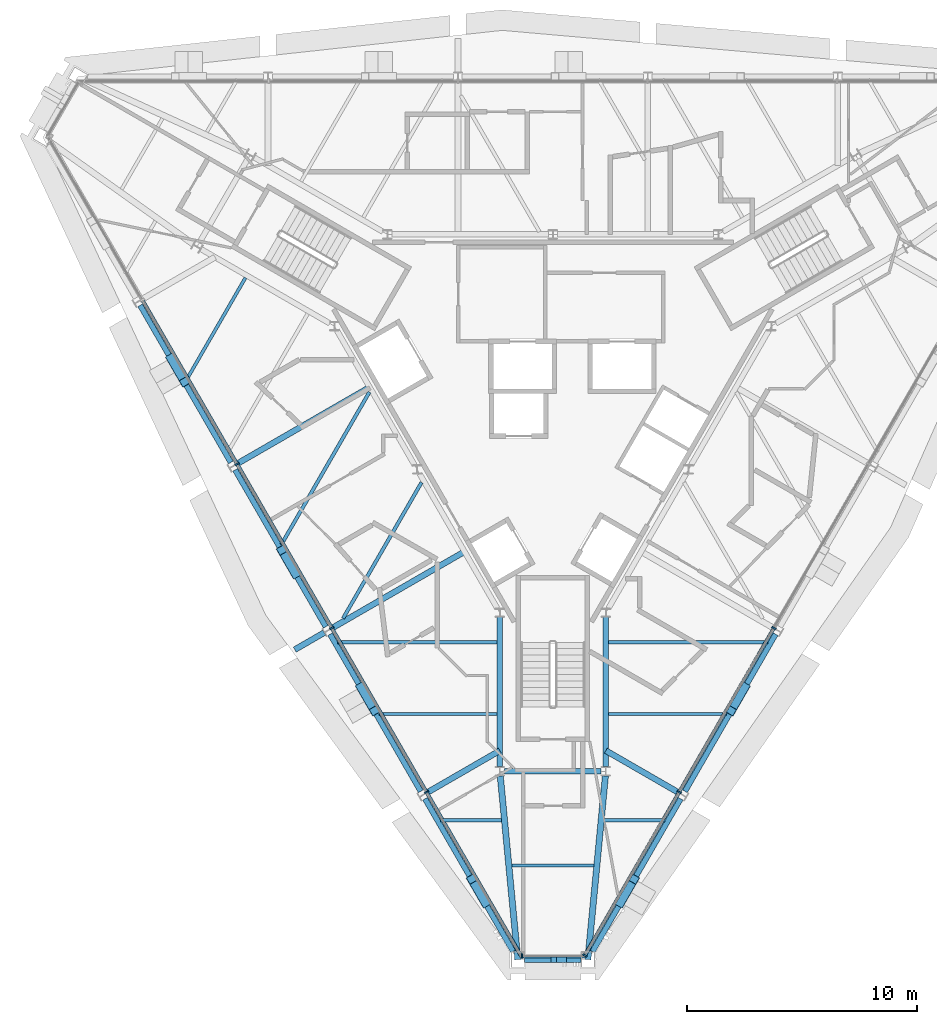
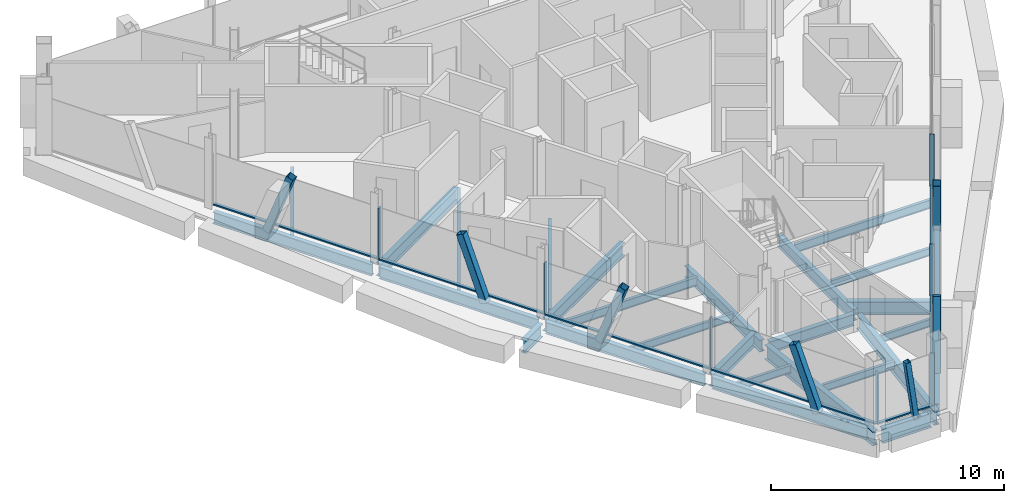
# One storey, part 3 of 14: 27 beams, 21 members, 3 elements without a shape of their own.
"""IFC4 building model written with IfcOpenShell, lengths in metres."""

from ifc_helpers import new_model, si_unit, direction, frame, origin, origin_2d, place, context, subcontext, project, spatial, rectangle, hollow_rectangle, i_section, extrude, material, material_profile, profile_set, type_object, element, aggregate, save


model = new_model("IFC4")

# Units and contexts
model_context = context("Model", 3, precision=1e-05, world=origin(), true_north=direction((0.0, 1.0)))
body_context = subcontext(model_context, "Body", "Model", "MODEL_VIEW")
ifc_project = project(units=[si_unit("LENGTHUNIT", "METRE"), si_unit("AREAUNIT", "SQUARE_METRE"), si_unit("VOLUMEUNIT", "CUBIC_METRE"), si_unit("PLANEANGLEUNIT", "RADIAN"), si_unit("MASSUNIT", "GRAM", prefix="KILO")], contexts=[model_context])

# Site, building, storey
site_placement = place(None, origin())
site = spatial("IfcSite", under=ifc_project, at=site_placement, CompositionType="ELEMENT")
building_placement = place(site_placement, origin())
building = spatial("IfcBuilding", under=site, at=building_placement, Name="Verrane Prism Tower", CompositionType="ELEMENT")
storey_placement = place(building_placement, frame((0.0, 0.0, 293.60009765625)))
storey = spatial("IfcBuildingStorey", under=building, at=storey_placement, Name="L74", CompositionType="ELEMENT", Elevation=293.60009765625)

# Member
ifc_material_1 = material(Name="Steel A500 Grade C", Category="steel")
ifc_material_profile_1 = material_profile(ifc_material_1, hollow_rectangle(XDim=0.25390625, YDim=0.25390625, WallThickness=0.009521484375, InnerFilletRadius=0.0048828125, OuterFilletRadius=0.014404296875, at=origin_2d()), Name="HSS10x10x3/8")
ifc_profile_set_1 = profile_set([ifc_material_profile_1], Name="Steel A500 Grade C")
member_type_1 = type_object("IfcMemberType", Name="Chamfer brace HSS10x10x3/8", PredefinedType="BRACE", material=ifc_profile_set_1)
member_1_placement = place(storey_placement, frame((0.466064453125, -24.669921875, -0.24267578125), z_axis=(-0.13564452477, 0.0, 0.990757570196), x_axis=(0.0, -1.0, 0.0)))
element("IfcMember", 1, at=member_1_placement, inside=storey, type_object=member_type_1, Name="Chamfer brace S0 L74", PredefinedType="BRACE", context=body_context, shape_type="SweptSolid", body=[
    extrude(hollow_rectangle(XDim=0.25390625, YDim=0.25390625, WallThickness=0.009521484375, InnerFilletRadius=0.0048828125, OuterFilletRadius=0.014404296875, at=origin_2d()), origin(), (0.0, 0.0, 1.0), 3.13720703125),
])

# Beams
ifc_material_2 = material(Name="Steel A992", Category="steel")
ifc_material_profile_2 = material_profile(ifc_material_2, i_section(OverallWidth=0.2666015625, OverallDepth=0.7568359375, WebThickness=0.013916015625, FlangeThickness=0.019287109375, FilletRadius=0.0166015625, at=origin_2d()), Name="W30x108")
ifc_profile_set_2 = profile_set([ifc_material_profile_2], Name="Steel A992")
beam_type_1 = type_object("IfcBeamType", Name="Chamfer spandrel beam W30x108", PredefinedType="SPANDREL", material=ifc_profile_set_2)
beam_1_placement = place(storey_placement, frame((-1.219970703125, -24.669921875, -0.53857421875), z_axis=(1.0, 0.0, 0.0), x_axis=(0.0, 1.0, 0.0)))
element("IfcBeam", 2, at=beam_1_placement, inside=storey, type_object=beam_type_1, Name="Chamfer spandrel beam L74", PredefinedType="SPANDREL", context=body_context, shape_type="SweptSolid", body=[
    extrude(i_section(OverallWidth=0.2666015625, OverallDepth=0.7568359375, WebThickness=0.013916015625, FlangeThickness=0.019287109375, FilletRadius=0.0166015625, at=origin_2d()), origin(), (0.0, 0.0, 1.0), 2.43994140625),
])
ifc_material_3 = material(Name="Steel A992", Category="steel")
ifc_material_profile_3 = material_profile(ifc_material_3, i_section(OverallWidth=0.23046875, OverallDepth=0.6171875, WebThickness=0.01318359375, FlangeThickness=0.022216796875, FilletRadius=0.012939453125, at=origin_2d()), Name="W24x94")
ifc_profile_set_3 = profile_set([ifc_material_profile_3], Name="Steel A992")
beam_type_2 = type_object("IfcBeamType", Name="Core ring girder W24x94", PredefinedType="BEAM", material=ifc_profile_set_3)
beam_2_placement = place(storey_placement, frame((-2.300048828125, -9.81298828125, -0.55859375), z_axis=(0.0, -1.0, 0.0), x_axis=(1.0, 0.0, 0.0)))
element("IfcBeam", 3, at=beam_2_placement, inside=storey, type_object=beam_type_2, Name="Core ring girder L74", PredefinedType="BEAM", context=body_context, shape_type="SweptSolid", body=[
    extrude(i_section(OverallWidth=0.23046875, OverallDepth=0.6171875, WebThickness=0.01318359375, FlangeThickness=0.022216796875, FilletRadius=0.012939453125, at=origin_2d()), origin(), (0.0, 0.0, 1.0), 6.487548828125),
])
beam_3_placement = place(storey_placement, frame((-2.099365234375, -16.5, -0.55859375), z_axis=(1.0, 0.0, 0.0), x_axis=(0.0, 1.0, 0.0)))
element("IfcBeam", 4, at=beam_3_placement, inside=storey, type_object=beam_type_2, Name="Core ring girder L74", PredefinedType="BEAM", context=body_context, shape_type="SweptSolid", body=[
    extrude(i_section(OverallWidth=0.23046875, OverallDepth=0.6171875, WebThickness=0.01318359375, FlangeThickness=0.022216796875, FilletRadius=0.012939453125, at=origin_2d()), origin(), (0.0, 0.0, 1.0), 4.19873046875),
])
beam_4_placement = place(storey_placement, frame((2.300048828125, -16.300537109375, -0.55859375), z_axis=(0.0, 1.0, 0.0), x_axis=(-1.0, 0.0, 0.0)))
element("IfcBeam", 5, at=beam_4_placement, inside=storey, type_object=beam_type_2, Name="Core ring girder L74", PredefinedType="BEAM", context=body_context, shape_type="SweptSolid", body=[
    extrude(i_section(OverallWidth=0.23046875, OverallDepth=0.6171875, WebThickness=0.01318359375, FlangeThickness=0.022216796875, FilletRadius=0.012939453125, at=origin_2d()), origin(), (0.0, 0.0, 1.0), 6.487548828125),
])
ifc_material_4 = material(Name="Steel A992", Category="steel")
ifc_material_profile_4 = material_profile(ifc_material_4, i_section(OverallWidth=0.2666015625, OverallDepth=0.7568359375, WebThickness=0.013916015625, FlangeThickness=0.019287109375, FilletRadius=0.0166015625, at=origin_2d()), Name="W30x108")
ifc_profile_set_4 = profile_set([ifc_material_profile_4], Name="Steel A992")
beam_type_3 = type_object("IfcBeamType", Name="Corner girder W30x108", PredefinedType="BEAM", material=ifc_profile_set_4)
for number, where, z_axis, x_axis, name in (
    (6, (-1.520263671875, -24.667236328125, -0.5986328125), (-0.095045157177, 0.995472962012, 0.0), (-0.995472962012, -0.095045157177, 0.0), "Corner girder L74"),
    (7, (1.520263671875, -24.667236328125, -0.5986328125), (0.095045157177, 0.995472962012, 0.0), (-0.995472962012, 0.095045157177, 0.0), "Corner girder L74"),
):
    element("IfcBeam", number, at=place(storey_placement, frame(where, z_axis=z_axis, x_axis=x_axis)), inside=storey, type_object=beam_type_3, Name=name, PredefinedType="BEAM", context=body_context, shape_type="SweptSolid", body=[
        extrude(i_section(OverallWidth=0.2666015625, OverallDepth=0.7568359375, WebThickness=0.013916015625, FlangeThickness=0.019287109375, FilletRadius=0.0166015625, at=origin_2d()), origin(), (0.0, 0.0, 1.0), 8.00390625),
    ])

# Members
ifc_material_5 = material(Name="Steel A500 Grade C", Category="steel")
ifc_material_profile_5 = material_profile(ifc_material_5, hollow_rectangle(XDim=0.355712890625, YDim=0.355712890625, WallThickness=0.0126953125, InnerFilletRadius=0.00634765625, OuterFilletRadius=0.01904296875, at=origin_2d()), Name="HSS14x14x1/2")
ifc_profile_set_5 = profile_set([ifc_material_profile_5], Name="Steel A500 Grade C")
member_type_2 = type_object("IfcMemberType", Name="Facade brace HSS14x14x1/2", PredefinedType="BRACE", material=ifc_profile_set_5)
member_2_placement = place(storey_placement, frame((-16.579833984375, 1.4189453125, -0.216796875), z_axis=(0.173933329841, -0.301465343199, 0.937478449683), x_axis=(0.866171884844, 0.499746201493, 0.0)))
element("IfcMember", 8, at=member_2_placement, inside=storey, type_object=member_type_2, Name="Facade brace SW1 L74", PredefinedType="BRACE", context=body_context, shape_type="SweptSolid", body=[
    extrude(hollow_rectangle(XDim=0.355712890625, YDim=0.355712890625, WallThickness=0.0126953125, InnerFilletRadius=0.00634765625, OuterFilletRadius=0.01904296875, at=origin_2d()), origin(), (0.0, 0.0, 1.0), 3.409423828125),
])
member_3_placement = place(storey_placement, frame((-11.18017578125, -7.932373046875, -0.216796875), z_axis=(-0.173955846373, 0.301074671944, 0.937599810914), x_axis=(-0.865863090637, -0.500281029295, 0.0)))
element("IfcMember", 9, at=member_3_placement, inside=storey, type_object=member_type_2, Name="Facade brace SW2 L74", PredefinedType="BRACE", context=body_context, shape_type="SweptSolid", body=[
    extrude(hollow_rectangle(XDim=0.355712890625, YDim=0.355712890625, WallThickness=0.0126953125, InnerFilletRadius=0.00634765625, OuterFilletRadius=0.01904296875, at=origin_2d()), origin(), (0.0, 0.0, 1.0), 3.408935546875),
])
for number, where, z_axis, x_axis, name in (
    (10, (-8.33984375, -12.85107421875, -0.216796875), (0.174002769202, -0.301461587794, 0.937466771355), (0.86608282171, 0.499900536046, 0.0), "Facade brace SW3 L74"),
    (11, (-2.940185546875, -22.208984375, -0.216796875), (-0.173929574815, 0.301530440323, 0.937458210569), (-0.866223254293, -0.499657156181, 0.0), "Facade brace SW4 L74"),
    (12, (2.940185546875, -22.208984375, -0.216796875), (0.173929574815, 0.301530440323, 0.937458210569), (-0.866223254293, 0.499657156181, 0.0), "Facade brace SE0 L74"),
    (13, (8.33984375, -12.85107421875, -0.216796875), (-0.174002769202, -0.301461587794, 0.937466771355), (0.86608282171, -0.499900536046, 0.0), "Facade brace SE1 L74"),
):
    element("IfcMember", number, at=place(storey_placement, frame(where, z_axis=z_axis, x_axis=x_axis)), inside=storey, type_object=member_type_2, Name=name, PredefinedType="BRACE", context=body_context, shape_type="SweptSolid", body=[
        extrude(hollow_rectangle(XDim=0.355712890625, YDim=0.355712890625, WallThickness=0.0126953125, InnerFilletRadius=0.00634765625, OuterFilletRadius=0.01904296875, at=origin_2d()), origin(), (0.0, 0.0, 1.0), 3.409423828125),
    ])

# Beams
ifc_material_6 = material(Name="Steel A992", Category="steel")
ifc_material_profile_6 = material_profile(ifc_material_6, i_section(OverallWidth=0.140380859375, OverallDepth=0.40380859375, WebThickness=0.007080078125, FlangeThickness=0.01123046875, FilletRadius=0.01025390625, at=origin_2d()), Name="W16x31")
ifc_profile_set_6 = profile_set([ifc_material_profile_6], Name="Steel A992")
beam_type_4 = type_object("IfcBeamType", Name="Floor beam W16x31", PredefinedType="BEAM", material=ifc_profile_set_6)
beam_5_placement = place(storey_placement, frame((-15.902099609375, 0.474609375, -0.362060546875), z_axis=(0.500011000363, 0.866019052629, 0.0), x_axis=(-0.866019052629, 0.500011000363, 0.0)))
element("IfcBeam", 14, at=beam_5_placement, inside=storey, type_object=beam_type_4, Name="Floor beam L74", PredefinedType="BEAM", context=body_context, shape_type="SweptSolid", body=[
    extrude(i_section(OverallWidth=0.140380859375, OverallDepth=0.40380859375, WebThickness=0.007080078125, FlangeThickness=0.01123046875, FilletRadius=0.01025390625, at=origin_2d()), origin(), (0.0, 0.0, 1.0), 5.126953125),
])
beam_6_placement = place(storey_placement, frame((-7.538330078125, -14.010009765625, -0.362060546875), z_axis=(1.0, 0.0, 0.0), x_axis=(0.0, 1.0, 0.0)))
element("IfcBeam", 15, at=beam_6_placement, inside=storey, type_object=beam_type_4, Name="Floor beam L74", PredefinedType="BEAM", context=body_context, shape_type="SweptSolid", body=[
    extrude(i_section(OverallWidth=0.140380859375, OverallDepth=0.40380859375, WebThickness=0.007080078125, FlangeThickness=0.01123046875, FilletRadius=0.01025390625, at=origin_2d()), origin(), (0.0, 0.0, 1.0), 5.123291015625),
])
for number, where, z_axis, x_axis, name in (
    (16, (-4.876220703125, -18.623291015625, -0.362060546875), (1.0, 0.0, 0.0), (0.0, 1.0, 0.0), "Floor beam L74"),
    (17, (2.2314453125, -18.623291015625, -0.362060546875), (1.0, 0.0, 0.0), (0.0, 1.0, 0.0), "Floor beam L74"),
):
    element("IfcBeam", number, at=place(storey_placement, frame(where, z_axis=z_axis, x_axis=x_axis)), inside=storey, type_object=beam_type_4, Name=name, PredefinedType="BEAM", context=body_context, shape_type="SweptSolid", body=[
        extrude(i_section(OverallWidth=0.140380859375, OverallDepth=0.40380859375, WebThickness=0.007080078125, FlangeThickness=0.01123046875, FilletRadius=0.01025390625, at=origin_2d()), origin(), (0.0, 0.0, 1.0), 2.644775390625),
    ])
beam_7_placement = place(storey_placement, frame((2.4150390625, -14.010009765625, -0.362060546875), z_axis=(1.0, 0.0, 0.0), x_axis=(0.0, 1.0, 0.0)))
element("IfcBeam", 18, at=beam_7_placement, inside=storey, type_object=beam_type_4, Name="Floor beam L74", PredefinedType="BEAM", context=body_context, shape_type="SweptSolid", body=[
    extrude(i_section(OverallWidth=0.140380859375, OverallDepth=0.40380859375, WebThickness=0.007080078125, FlangeThickness=0.01123046875, FilletRadius=0.01025390625, at=origin_2d()), origin(), (0.0, 0.0, 1.0), 5.123291015625),
])
beam_8_placement = place(storey_placement, frame((-1.77587890625, -20.5849609375, -0.362060546875), z_axis=(1.0, 0.0, 0.0), x_axis=(0.0, 1.0, 0.0)))
element("IfcBeam", 19, at=beam_8_placement, inside=storey, type_object=beam_type_4, Name="Floor beam L74", PredefinedType="BEAM", context=body_context, shape_type="SweptSolid", body=[
    extrude(i_section(OverallWidth=0.140380859375, OverallDepth=0.40380859375, WebThickness=0.007080078125, FlangeThickness=0.01123046875, FilletRadius=0.01025390625, at=origin_2d()), origin(), (0.0, 0.0, 1.0), 3.5517578125),
])
ifc_material_7 = material(Name="Steel A992", Category="steel")
ifc_material_profile_7 = material_profile(ifc_material_7, i_section(OverallWidth=0.15234375, OverallDepth=0.449462890625, WebThickness=0.007568359375, FlangeThickness=0.0107421875, FilletRadius=0.01025390625, at=origin_2d()), Name="W18x35")
ifc_profile_set_7 = profile_set([ifc_material_profile_7], Name="Steel A992")
beam_type_5 = type_object("IfcBeamType", Name="Floor beam W18x35", PredefinedType="BEAM", material=ifc_profile_set_7)
beam_9_placement = place(storey_placement, frame((-9.103271484375, -9.864501953125, -0.385009765625), z_axis=(0.49999337185, 0.866029230515, 0.0), x_axis=(-0.866029230515, 0.49999337185, 0.0)))
element("IfcBeam", 20, at=beam_9_placement, inside=storey, type_object=beam_type_5, Name="Floor beam L74", PredefinedType="BEAM", context=body_context, shape_type="SweptSolid", body=[
    extrude(i_section(OverallWidth=0.15234375, OverallDepth=0.449462890625, WebThickness=0.007568359375, FlangeThickness=0.0107421875, FilletRadius=0.01025390625, at=origin_2d()), origin(), (0.0, 0.0, 1.0), 6.8125),
])
beam_10_placement = place(storey_placement, frame((-11.78076171875, -6.6630859375, -0.385009765625), z_axis=(0.499997113229, 0.866027070456, 0.0), x_axis=(-0.866027070456, 0.499997113229, 0.0)))
element("IfcBeam", 21, at=beam_10_placement, inside=storey, type_object=beam_type_5, Name="Floor beam L74", PredefinedType="BEAM", context=body_context, shape_type="SweptSolid", body=[
    extrude(i_section(OverallWidth=0.15234375, OverallDepth=0.449462890625, WebThickness=0.007568359375, FlangeThickness=0.0107421875, FilletRadius=0.01025390625, at=origin_2d()), origin(), (0.0, 0.0, 1.0), 7.64306640625),
])
for number, where, z_axis, x_axis, name in (
    (22, (-9.338623046875, -10.889892578125, -0.385009765625), (1.0, 0.0, 0.0), (0.0, 1.0, 0.0), "Floor beam L74"),
    (23, (2.4150390625, -10.889892578125, -0.385009765625), (1.0, 0.0, 0.0), (0.0, 1.0, 0.0), "Floor beam L74"),
):
    element("IfcBeam", number, at=place(storey_placement, frame(where, z_axis=z_axis, x_axis=x_axis)), inside=storey, type_object=beam_type_5, Name=name, PredefinedType="BEAM", context=body_context, shape_type="SweptSolid", body=[
        extrude(i_section(OverallWidth=0.15234375, OverallDepth=0.449462890625, WebThickness=0.007568359375, FlangeThickness=0.0107421875, FilletRadius=0.01025390625, at=origin_2d()), origin(), (0.0, 0.0, 1.0), 6.923583984375),
    ])

# Curtain wall, members
ifc_material_8 = material(Name="Aluminium framed insulated glazing", Category="aluminium")
curtain_wall_type = type_object("IfcCurtainWallType", Name="Curtain wall CW-A 8400 module", PredefinedType="NOTDEFINED", material=ifc_material_8)
curtain_wall_1_placement = place(storey_placement, origin())
curtain_wall_1 = element("IfcCurtainWall", 24, at=curtain_wall_1_placement, inside=storey, type_object=curtain_wall_type, Name="Glazed curtain wall south-west face L74", PredefinedType="NOTDEFINED")
ifc_material_9 = material(Name="Aluminium alloy 6063-T6", Category="aluminium")
ifc_material_profile_8 = material_profile(ifc_material_9, rectangle(XDim=0.199951171875, YDim=0.070068359375, at=origin_2d()), Name="Mullion 70x200 aluminium")
ifc_profile_set_8 = profile_set([ifc_material_profile_8], Name="Aluminium alloy 6063-T6")
member_type_3 = type_object("IfcMemberType", Name="Mullion 70x200 aluminium", PredefinedType="MULLION", material=ifc_profile_set_8)
member_4_placement = place(storey_placement, frame((-13.7001953125, -3.1650390625, 0.0), z_axis=(0.0, 0.0, 1.0), x_axis=(0.866024861728, 0.500000938868, 0.0)))
member_4 = element("IfcMember", 25, at=member_4_placement, type_object=member_type_3, Name="CW72.4 mullion 3", PredefinedType="MULLION", context=body_context, shape_type="SweptSolid", body=[
    extrude(rectangle(XDim=0.199951171875, YDim=0.070068359375, at=origin_2d()), origin(), (0.0, 0.0, 1.0), 2.722900390625),
])
member_5_placement = place(storey_placement, frame((-9.591064453125, -10.2822265625, 0.0), z_axis=(0.0, 0.0, 1.0), x_axis=(0.866024861728, 0.500000938868, 0.0)))
member_5 = element("IfcMember", 26, at=member_5_placement, type_object=member_type_3, Name="CW72.4 mullion 4", PredefinedType="MULLION", context=body_context, shape_type="SweptSolid", body=[
    extrude(rectangle(XDim=0.199951171875, YDim=0.070068359375, at=origin_2d()), origin(), (0.0, 0.0, 1.0), 2.722900390625),
])
member_6_placement = place(storey_placement, frame((-5.48193359375, -17.399658203125, 0.0), z_axis=(0.0, 0.0, 1.0), x_axis=(0.866024861728, 0.500000938868, 0.0)))
member_6 = element("IfcMember", 27, at=member_6_placement, type_object=member_type_3, Name="CW72.4 mullion 5", PredefinedType="MULLION", context=body_context, shape_type="SweptSolid", body=[
    extrude(rectangle(XDim=0.199951171875, YDim=0.070068359375, at=origin_2d()), origin(), (0.0, 0.0, 1.0), 2.722900390625),
])

# Curtain wall, member
curtain_wall_2_placement = place(storey_placement, origin())
curtain_wall_2 = element("IfcCurtainWall", 28, at=curtain_wall_2_placement, inside=storey, type_object=curtain_wall_type, Name="Glazed curtain wall south corner L74", PredefinedType="NOTDEFINED")
member_7_placement = place(storey_placement, frame((-1.337646484375, -24.51708984375, 0.0), z_axis=(0.0, 0.0, 1.0), x_axis=(0.0, 1.0, 0.0)))
member_7 = element("IfcMember", 29, at=member_7_placement, type_object=member_type_3, Name="CW72.5 mullion 1", PredefinedType="MULLION", context=body_context, shape_type="SweptSolid", body=[
    extrude(rectangle(XDim=0.199951171875, YDim=0.070068359375, at=origin_2d()), origin(), (0.0, 0.0, 1.0), 2.722900390625),
])

# Curtain wall, members
curtain_wall_3_placement = place(storey_placement, origin())
curtain_wall_3 = element("IfcCurtainWall", 30, at=curtain_wall_3_placement, inside=storey, type_object=curtain_wall_type, Name="Glazed curtain wall south-east face L74", PredefinedType="NOTDEFINED")
member_8_placement = place(storey_placement, frame((1.39013671875, -24.486572265625, 0.0), z_axis=(0.0, 0.0, 1.0), x_axis=(-0.866024861728, 0.500000938868, 0.0)))
member_8 = element("IfcMember", 31, at=member_8_placement, type_object=member_type_3, Name="CW72.6 mullion 1", PredefinedType="MULLION", context=body_context, shape_type="SweptSolid", body=[
    extrude(rectangle(XDim=0.199951171875, YDim=0.070068359375, at=origin_2d()), origin(), (0.0, 0.0, 1.0), 2.722900390625),
])
member_9_placement = place(storey_placement, frame((5.48193359375, -17.399658203125, 0.0), z_axis=(0.0, 0.0, 1.0), x_axis=(-0.866024861728, 0.500000938868, 0.0)))
member_9 = element("IfcMember", 32, at=member_9_placement, type_object=member_type_3, Name="CW72.6 mullion 2", PredefinedType="MULLION", context=body_context, shape_type="SweptSolid", body=[
    extrude(rectangle(XDim=0.199951171875, YDim=0.070068359375, at=origin_2d()), origin(), (0.0, 0.0, 1.0), 2.722900390625),
])
member_10_placement = place(storey_placement, frame((9.591064453125, -10.2822265625, 0.0), z_axis=(0.0, 0.0, 1.0), x_axis=(-0.866024861728, 0.500000938868, 0.0)))
member_10 = element("IfcMember", 33, at=member_10_placement, type_object=member_type_3, Name="CW72.6 mullion 3", PredefinedType="MULLION", context=body_context, shape_type="SweptSolid", body=[
    extrude(rectangle(XDim=0.199951171875, YDim=0.070068359375, at=origin_2d()), origin(), (0.0, 0.0, 1.0), 2.722900390625),
])

# Beams
ifc_material_10 = material(Name="Steel A992", Category="steel")
ifc_material_profile_9 = material_profile(ifc_material_10, i_section(OverallWidth=0.25390625, OverallDepth=0.683349609375, WebThickness=0.012451171875, FlangeThickness=0.01904296875, FilletRadius=0.01513671875, at=origin_2d()), Name="W27x94")
ifc_profile_set_9 = profile_set([ifc_material_profile_9], Name="Steel A992")
beam_type_6 = type_object("IfcBeamType", Name="Radial girder W27x94", PredefinedType="BEAM", material=ifc_profile_set_9)
beam_11_placement = place(storey_placement, frame((-13.720458984375, -3.16796875, -0.561767578125), z_axis=(0.866025791777, 0.499999327977, 0.0), x_axis=(-0.499999327977, 0.866025791777, 0.0)))
element("IfcBeam", 34, at=beam_11_placement, inside=storey, type_object=beam_type_6, Name="Radial girder L74", PredefinedType="BEAM", context=body_context, shape_type="SweptSolid", body=[
    extrude(i_section(OverallWidth=0.25390625, OverallDepth=0.683349609375, WebThickness=0.012451171875, FlangeThickness=0.01904296875, FilletRadius=0.01513671875, at=origin_2d()), origin(), (0.0, 0.0, 1.0), 6.666015625),
])
beam_12_placement = place(storey_placement, frame((-9.6005859375, -10.2978515625, -0.561767578125), z_axis=(0.866031183428, 0.49998998923, 0.0), x_axis=(-0.49998998923, 0.866031183428, 0.0)))
element("IfcBeam", 35, at=beam_12_placement, inside=storey, type_object=beam_type_6, Name="Radial girder L74", PredefinedType="BEAM", context=body_context, shape_type="SweptSolid", body=[
    extrude(i_section(OverallWidth=0.25390625, OverallDepth=0.683349609375, WebThickness=0.012451171875, FlangeThickness=0.01904296875, FilletRadius=0.01513671875, at=origin_2d()), origin(), (0.0, 0.0, 1.0), 6.661865234375),
])
for number, where, z_axis, x_axis, name in (
    (36, (-5.48046875, -17.43798828125, -0.561767578125), (0.866029490193, 0.499992922065, 0.0), (-0.499992922065, 0.866029490193, 0.0), "Radial girder L74"),
    (37, (5.48046875, -17.43798828125, -0.561767578125), (-0.866029490193, 0.499992922065, 0.0), (-0.499992922065, -0.866029490193, 0.0), "Radial girder L74"),
):
    element("IfcBeam", number, at=place(storey_placement, frame(where, z_axis=z_axis, x_axis=x_axis)), inside=storey, type_object=beam_type_6, Name=name, PredefinedType="BEAM", context=body_context, shape_type="SweptSolid", body=[
        extrude(i_section(OverallWidth=0.25390625, OverallDepth=0.683349609375, WebThickness=0.012451171875, FlangeThickness=0.01904296875, FilletRadius=0.01513671875, at=origin_2d()), origin(), (0.0, 0.0, 1.0), 3.67236328125),
    ])
beam_13_placement = place(storey_placement, frame((-9.916015625, -10.47998046875, -0.561767578125), z_axis=(-0.865968359144, -0.500098791201, 0.0), x_axis=(0.500098791201, -0.865968359144, 0.0)))
element("IfcBeam", 38, at=beam_13_placement, inside=storey, type_object=beam_type_6, Name="Cantilever girder L74", PredefinedType="BEAM", context=body_context, shape_type="SweptSolid", body=[
    extrude(i_section(OverallWidth=0.25390625, OverallDepth=0.683349609375, WebThickness=0.012451171875, FlangeThickness=0.01904296875, FilletRadius=0.01513671875, at=origin_2d()), origin(), (0.0, 0.0, 1.0), 1.478759765625),
])
ifc_material_11 = material(Name="Steel A992", Category="steel")
ifc_material_profile_10 = material_profile(ifc_material_11, i_section(OverallWidth=0.23046875, OverallDepth=0.6171875, WebThickness=0.01318359375, FlangeThickness=0.022216796875, FilletRadius=0.012939453125, at=origin_2d()), Name="W24x94")
ifc_profile_set_10 = profile_set([ifc_material_profile_10], Name="Steel A992")
beam_type_7 = type_object("IfcBeamType", Name="Spandrel beam W24x94", PredefinedType="SPANDREL", material=ifc_profile_set_10)
beam_14_placement = place(storey_placement, frame((-17.90673828125, 3.71826171875, -0.46875), z_axis=(0.499786009893, -0.866148915785, 0.0), x_axis=(0.866148915785, 0.499786009893, 0.0)))
element("IfcBeam", 39, at=beam_14_placement, inside=storey, type_object=beam_type_7, Name="Spandrel beam L74", PredefinedType="SPANDREL", context=body_context, shape_type="SweptSolid", body=[
    extrude(i_section(OverallWidth=0.23046875, OverallDepth=0.6171875, WebThickness=0.01318359375, FlangeThickness=0.022216796875, FilletRadius=0.012939453125, at=origin_2d()), origin(), (0.0, 0.0, 1.0), 7.8701171875),
])
beam_15_placement = place(storey_placement, frame((-13.78662109375, -3.421630859375, -0.46875), z_axis=(0.500300363133, -0.865851919585, 0.0), x_axis=(0.865851919585, 0.500300363133, 0.0)))
element("IfcBeam", 40, at=beam_15_placement, inside=storey, type_object=beam_type_7, Name="Spandrel beam L74", PredefinedType="SPANDREL", context=body_context, shape_type="SweptSolid", body=[
    extrude(i_section(OverallWidth=0.23046875, OverallDepth=0.6171875, WebThickness=0.01318359375, FlangeThickness=0.022216796875, FilletRadius=0.012939453125, at=origin_2d()), origin(), (0.0, 0.0, 1.0), 7.861572265625),
])
beam_16_placement = place(storey_placement, frame((-9.666748046875, -10.5517578125, -0.46875), z_axis=(0.499786009893, -0.866148915785, 0.0), x_axis=(0.866148915785, 0.499786009893, 0.0)))
element("IfcBeam", 41, at=beam_16_placement, inside=storey, type_object=beam_type_7, Name="Spandrel beam L74", PredefinedType="SPANDREL", context=body_context, shape_type="SweptSolid", body=[
    extrude(i_section(OverallWidth=0.23046875, OverallDepth=0.6171875, WebThickness=0.01318359375, FlangeThickness=0.022216796875, FilletRadius=0.012939453125, at=origin_2d()), origin(), (0.0, 0.0, 1.0), 7.8701171875),
])
for number, where, z_axis, x_axis, name in (
    (42, (-5.546630859375, -17.691650390625, -0.46875), (0.499783212018, -0.866150530211, 0.0), (0.866150530211, 0.499783212018, 0.0), "Spandrel beam L74"),
    (43, (1.721923828125, -24.320068359375, -0.46875), (0.499783212018, 0.866150530211, 0.0), (-0.866150530211, 0.499783212018, 0.0), "Spandrel beam L74"),
):
    element("IfcBeam", number, at=place(storey_placement, frame(where, z_axis=z_axis, x_axis=x_axis)), inside=storey, type_object=beam_type_7, Name=name, PredefinedType="SPANDREL", context=body_context, shape_type="SweptSolid", body=[
        extrude(i_section(OverallWidth=0.23046875, OverallDepth=0.6171875, WebThickness=0.01318359375, FlangeThickness=0.022216796875, FilletRadius=0.012939453125, at=origin_2d()), origin(), (0.0, 0.0, 1.0), 7.65283203125),
    ])
beam_17_placement = place(storey_placement, frame((5.7333984375, -17.368408203125, -0.46875), z_axis=(0.499786009893, 0.866148915785, 0.0), x_axis=(-0.866148915785, 0.499786009893, 0.0)))
element("IfcBeam", 44, at=beam_17_placement, inside=storey, type_object=beam_type_7, Name="Spandrel beam L74", PredefinedType="SPANDREL", context=body_context, shape_type="SweptSolid", body=[
    extrude(i_section(OverallWidth=0.23046875, OverallDepth=0.6171875, WebThickness=0.01318359375, FlangeThickness=0.022216796875, FilletRadius=0.012939453125, at=origin_2d()), origin(), (0.0, 0.0, 1.0), 7.8701171875),
])

# Member
ifc_material_12 = material(Name="Aluminium alloy 6063-T6", Category="aluminium")
ifc_material_profile_11 = material_profile(ifc_material_12, rectangle(XDim=0.14990234375, YDim=0.070068359375, at=origin_2d()), Name="Transom 70x150 aluminium")
ifc_profile_set_11 = profile_set([ifc_material_profile_11], Name="Aluminium alloy 6063-T6")
member_type_4 = type_object("IfcMemberType", Name="Transom 70x150 aluminium", PredefinedType="USERDEFINED", material=ifc_profile_set_11)
member_11_placement = place(storey_placement, frame((-17.7919921875, 3.922119140625, 0.034912109375), z_axis=(0.500006018292, -0.866021929094, 0.0), x_axis=(0.866021929094, 0.500006018292, 0.0)))
member_11 = element("IfcMember", 45, at=member_11_placement, type_object=member_type_4, Name="CW72.4 transom 2", ObjectType="TRANSOM", PredefinedType="USERDEFINED", context=body_context, shape_type="SweptSolid", body=[
    extrude(rectangle(XDim=0.14990234375, YDim=0.070068359375, at=origin_2d()), origin(), (0.0, 0.0, 1.0), 8.1484375),
])

member_12_placement = place(storey_placement, frame((-13.682861328125, -3.1953125, 0.034912109375), z_axis=(0.500006018292, -0.866021929094, 0.0), x_axis=(0.866021929094, 0.500006018292, 0.0)))
member_12 = element("IfcMember", 46, at=member_12_placement, type_object=member_type_4, Name="CW72.4 transom 3", ObjectType="TRANSOM", PredefinedType="USERDEFINED", context=body_context, shape_type="SweptSolid", body=[
    extrude(rectangle(XDim=0.14990234375, YDim=0.070068359375, at=origin_2d()), origin(), (0.0, 0.0, 1.0), 8.1484375),
])

member_13_placement = place(storey_placement, frame((-9.573486328125, -10.3125, 0.034912109375), z_axis=(0.499993044538, -0.866029419485, 0.0), x_axis=(0.866029419485, 0.499993044538, 0.0)))
member_13 = element("IfcMember", 47, at=member_13_placement, type_object=member_type_4, Name="CW72.4 transom 4", ObjectType="TRANSOM", PredefinedType="USERDEFINED", context=body_context, shape_type="SweptSolid", body=[
    extrude(rectangle(XDim=0.14990234375, YDim=0.070068359375, at=origin_2d()), origin(), (0.0, 0.0, 1.0), 8.1484375),
])

member_14_placement = place(storey_placement, frame((-5.46435546875, -17.429931640625, 0.034912109375), z_axis=(0.500002215902, -0.866024124429, 0.0), x_axis=(0.866024124429, 0.500002215902, 0.0)))
member_14 = element("IfcMember", 48, at=member_14_placement, type_object=member_type_4, Name="CW72.4 transom 5", ObjectType="TRANSOM", PredefinedType="USERDEFINED", context=body_context, shape_type="SweptSolid", body=[
    extrude(rectangle(XDim=0.14990234375, YDim=0.070068359375, at=origin_2d()), origin(), (0.0, 0.0, 1.0), 8.18359375),
])

aggregate(curtain_wall_1, [member_4, member_5, member_6, member_11, member_12, member_13, member_14])

member_15_placement = place(storey_placement, frame((-1.302490234375, -24.51708984375, 0.034912109375), z_axis=(1.0, 0.0, 0.0), x_axis=(0.0, 1.0, 0.0)))
member_15 = element("IfcMember", 49, at=member_15_placement, type_object=member_type_4, Name="CW72.5 transom 1", ObjectType="TRANSOM", PredefinedType="USERDEFINED", context=body_context, shape_type="SweptSolid", body=[
    extrude(rectangle(XDim=0.14990234375, YDim=0.070068359375, at=origin_2d()), origin(), (0.0, 0.0, 1.0), 2.675048828125),
])

aggregate(curtain_wall_2, [member_7, member_15])

member_16_placement = place(storey_placement, frame((1.40771484375, -24.456298828125, 0.034912109375), z_axis=(0.499996823547, 0.866027237703, 0.0), x_axis=(-0.866027237703, 0.499996823547, 0.0)))
member_16 = element("IfcMember", 50, at=member_16_placement, type_object=member_type_4, Name="CW72.6 transom 1", ObjectType="TRANSOM", PredefinedType="USERDEFINED", context=body_context, shape_type="SweptSolid", body=[
    extrude(rectangle(XDim=0.14990234375, YDim=0.070068359375, at=origin_2d()), origin(), (0.0, 0.0, 1.0), 8.11328125),
])

member_17_placement = place(storey_placement, frame((5.499267578125, -17.369384765625, 0.034912109375), z_axis=(0.499993044538, 0.866029419485, 0.0), x_axis=(-0.866029419485, 0.499993044538, 0.0)))
member_17 = element("IfcMember", 51, at=member_17_placement, type_object=member_type_4, Name="CW72.6 transom 2", ObjectType="TRANSOM", PredefinedType="USERDEFINED", context=body_context, shape_type="SweptSolid", body=[
    extrude(rectangle(XDim=0.14990234375, YDim=0.070068359375, at=origin_2d()), origin(), (0.0, 0.0, 1.0), 8.1484375),
])

aggregate(curtain_wall_3, [member_8, member_9, member_10, member_16, member_17])

save(model, "model.ifc")
